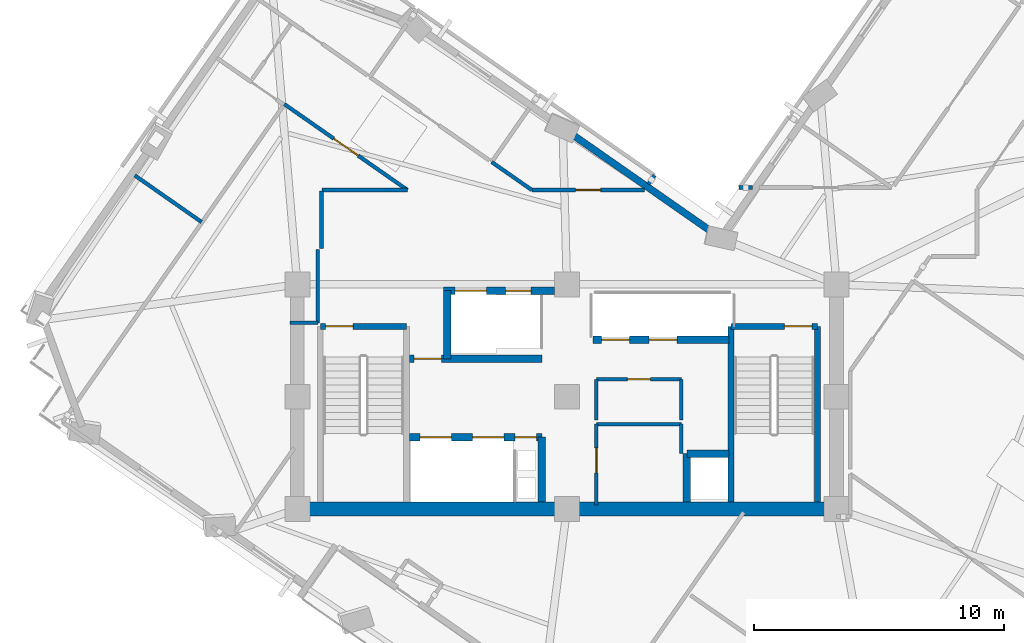
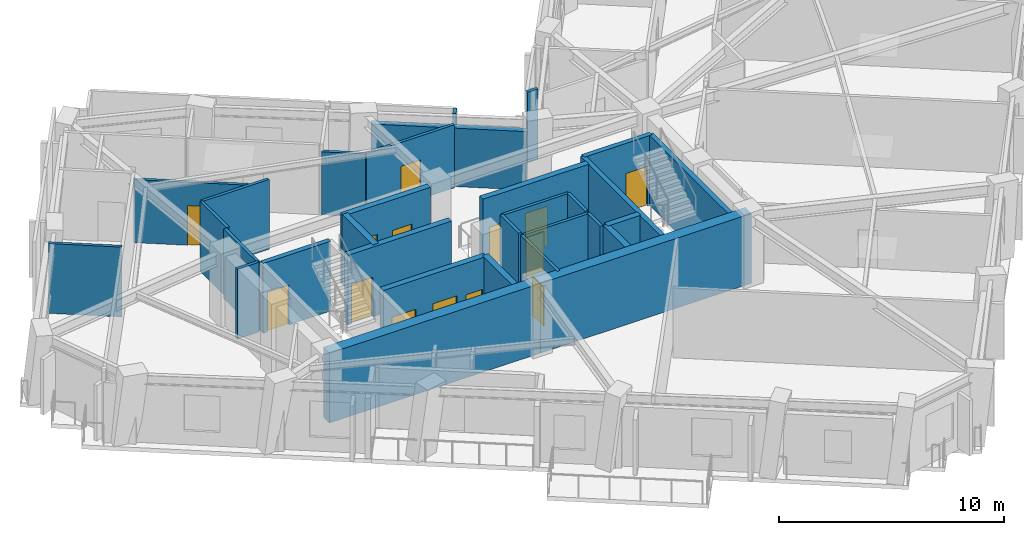
# One storey, part 4 of 12: 31 walls, 14 doors, 14 openings.
"""IFC4 building model written with IfcOpenShell, lengths in metres."""

from ifc_helpers import new_model, si_unit, direction, frame, frame_2d, origin, place, context, subcontext, project, spatial, rectangle, extrude, material, layer, layer_set, type_object, element, fill, save


model = new_model("IFC4")

# Units and contexts
model_context = context("Model", 3, precision=1e-05, world=origin(), true_north=direction((0.0, 1.0)))
body_context = subcontext(model_context, "Body", "Model", "MODEL_VIEW")
ifc_project = project(units=[si_unit("LENGTHUNIT", "METRE"), si_unit("AREAUNIT", "SQUARE_METRE"), si_unit("VOLUMEUNIT", "CUBIC_METRE"), si_unit("PLANEANGLEUNIT", "RADIAN"), si_unit("MASSUNIT", "GRAM", prefix="KILO")], contexts=[model_context])

# Site, building, storey
site_placement = place(None, origin())
site = spatial("IfcSite", under=ifc_project, at=site_placement, CompositionType="ELEMENT")
building_placement = place(site_placement, origin())
building = spatial("IfcBuilding", under=site, at=building_placement, Name="Gaonmaruhae Medical Tower", CompositionType="ELEMENT")
storey_placement = place(building_placement, frame((0.0, 0.0, 259.199951171875)))
storey = spatial("IfcBuildingStorey", under=building, at=storey_placement, Name="L62", CompositionType="ELEMENT", Elevation=259.199951171875)

# Walls
ifc_material_1 = material(Name="Concrete C50/60", Category="concrete")
ifc_layer_1 = layer(ifc_material_1, 0.550048828125)
ifc_layer_set_1 = layer_set([ifc_layer_1], Name="Concrete C50/60")
wall_type_1 = type_object("IfcWallType", Name="CW-550 Mid-High Core Shear Wall", PredefinedType="SHEAR", material=ifc_layer_set_1)
for number, where, z_axis, x_axis, name in (
    (1, (14.0, 7.800048828125, 0.0), (0.0, 0.0, 1.0), (1.0, 0.0, 0.0), "L62 Core Shear Wall CSW-S1"),
    (2, (24.800048828125, 7.800048828125, 0.0), (0.0, 0.0, 1.0), (1.0, 0.0, 0.0), "L62 Core Shear Wall CSW-S2"),
):
    element("IfcWall", number, at=place(storey_placement, frame(where, z_axis=z_axis, x_axis=x_axis)), inside=storey, type_object=wall_type_1, Name=name, PredefinedType="SHEAR", context=body_context, shape_type="SweptSolid", body=[
        extrude(rectangle(XDim=10.800048828125, YDim=0.550048828125, at=frame_2d((5.39990234375, 0.0))), origin(), (0.0, 0.0, 1.0), 3.780029296875),
    ])
ifc_material_2 = material(Name="Precast concrete C45/55", Category="concrete")
ifc_layer_2 = layer(ifc_material_2, 0.280029296875)
ifc_layer_set_2 = layer_set([ifc_layer_2], Name="Precast concrete C45/55")
wall_type_2 = type_object("IfcWallType", Name="EW-280 Upper Precast Masonry-Frame Facade Wall", PredefinedType="SOLIDWALL", material=ifc_layer_set_2)
wall_1_placement = place(storey_placement, frame((24.9716796875, 22.8330078125, 0.0), z_axis=(0.0, 0.0, 1.0), x_axis=(0.820150694585, -0.572147566779, 0.0)))
element("IfcWall", 3, at=wall_1_placement, inside=storey, type_object=wall_type_2, Name="L62 Precast Masonry-Frame Wall KN01-NE01", PredefinedType="SOLIDWALL", context=body_context, shape_type="SweptSolid", body=[
    extrude(rectangle(XDim=6.9580078125, YDim=0.280029296875, at=frame_2d((3.47900390625, 0.0))), origin(), (0.0, 0.0, 1.0), 3.1650390625),
])

# Wall, opening, door
ifc_material_3 = material(Name="Gypsum board partition", Category="gypsum")
ifc_layer_3 = layer(ifc_material_3, 0.14990234375)
ifc_layer_set_3 = layer_set([ifc_layer_3], Name="Gypsum board partition")
wall_type_3 = type_object("IfcWallType", Name="PW-150 Rated Clinical Corridor Partition", PredefinedType="PARTITIONING", material=ifc_layer_set_3)
wall_2_placement = place(storey_placement, frame((25.97998046875, 7.9599609375, 0.0), z_axis=(0.0, 0.0, 1.0), x_axis=(0.0, 1.0, 0.0)))
wall_2 = element("IfcWall", 4, at=wall_2_placement, inside=storey, type_object=wall_type_3, Name="L62 Interior Partition L62-RCL1-1", PredefinedType="PARTITIONING", context=body_context, shape_type="SweptSolid", body=[
    extrude(rectangle(XDim=3.239990234375, YDim=0.14990234375, at=frame_2d((1.6201171875, 0.0))), origin(), (0.0, 0.0, 1.0), 3.780029296875),
])
opening_1_placement = place(wall_2_placement, frame((1.294921875, 0.0, 0.0)))
opening_1 = element("IfcOpeningElement", 5, at=opening_1_placement, cuts=wall_2, Name="Opening CD-01", PredefinedType="OPENING", context=body_context, shape_type="SweptSolid", body=[
    extrude(rectangle(XDim=1.0, YDim=2.1201171875, at=frame_2d((0.5, 1.06005859375))), frame((0.0, 0.0849609375, 0.0), z_axis=(0.0, -1.0, 0.0), x_axis=(1.0, 0.0, 0.0)), (0.0, 0.0, 1.0), 0.169921875),
])
ifc_material_4 = material(Name="Antimicrobial laminate timber fire door", Category="wood")
door_type_1 = type_object("IfcDoorType", Name="CD-01 Consultation & Physician Office Door 1000x2120", OperationType="NOTDEFINED", PredefinedType="DOOR", material=ifc_material_4)
door_1_placement = place(opening_1_placement, origin())
door_1 = element("IfcDoor", 6, at=door_1_placement, inside=storey, type_object=door_type_1, Name="L62 Clinical Telemetry and Medication Room Door", OperationType="SINGLE_SWING_LEFT", OverallHeight=2.1201171875, OverallWidth=1.0, PredefinedType="DOOR", context=body_context, shape_type="SweptSolid", body=[
    extrude(rectangle(XDim=1.0, YDim=2.1201171875, at=frame_2d((0.5, 1.06005859375))), frame((0.0, 0.02490234375, 0.0), z_axis=(0.0, -1.0, 0.0), x_axis=(1.0, 0.0, 0.0)), (0.0, 0.0, 1.0), 0.050048828125),
])
fill(opening_1, door_1)

# Walls
wall_3_placement = place(storey_placement, frame((25.97998046875, 11.199951171875, 0.0), z_axis=(0.0, 0.0, 1.0), x_axis=(1.0, 0.0, 0.0)))
element("IfcWall", 7, at=wall_3_placement, inside=storey, type_object=wall_type_3, Name="L62 Interior Partition L62-RCL1-2", PredefinedType="PARTITIONING", context=body_context, shape_type="SweptSolid", body=[
    extrude(rectangle(XDim=3.39990234375, YDim=0.14990234375, at=frame_2d((1.699951171875, 0.0))), origin(), (0.0, 0.0, 1.0), 3.780029296875),
])
wall_4_placement = place(storey_placement, frame((29.3798828125, 11.199951171875, 0.0), z_axis=(0.0, 0.0, 1.0), x_axis=(0.0, -1.0, 0.0)))
element("IfcWall", 8, at=wall_4_placement, inside=storey, type_object=wall_type_3, Name="L62 Interior Partition L62-RCL1-3", PredefinedType="PARTITIONING", context=body_context, shape_type="SweptSolid", body=[
    extrude(rectangle(XDim=1.179931640625, YDim=0.14990234375, at=frame_2d((0.58984375, 0.0))), origin(), (0.0, 0.0, 1.0), 3.780029296875),
])
wall_5_placement = place(storey_placement, frame((25.97998046875, 11.360107421875, 0.0), z_axis=(0.0, 0.0, 1.0), x_axis=(0.0, 1.0, 0.0)))
element("IfcWall", 9, at=wall_5_placement, inside=storey, type_object=wall_type_3, Name="L62 Interior Partition L62-CS1-4", PredefinedType="PARTITIONING", context=body_context, shape_type="SweptSolid", body=[
    extrude(rectangle(XDim=1.639892578125, YDim=0.14990234375, at=frame_2d((0.81982421875, 0.0))), origin(), (0.0, 0.0, 1.0), 3.780029296875),
])

# Wall, opening, door
wall_6_placement = place(storey_placement, frame((25.97998046875, 13.0, 0.0), z_axis=(0.0, 0.0, 1.0), x_axis=(1.0, 0.0, 0.0)))
wall_6 = element("IfcWall", 10, at=wall_6_placement, inside=storey, type_object=wall_type_3, Name="L62 Interior Partition L62-CS1-5", PredefinedType="PARTITIONING", context=body_context, shape_type="SweptSolid", body=[
    extrude(rectangle(XDim=3.39990234375, YDim=0.14990234375, at=frame_2d((1.699951171875, 0.0))), origin(), (0.0, 0.0, 1.0), 3.780029296875),
])
opening_2_placement = place(wall_6_placement, frame((1.239990234375, 0.0, 0.0)))
opening_2 = element("IfcOpeningElement", 11, at=opening_2_placement, cuts=wall_6, Name="Opening UD-01", PredefinedType="OPENING", context=body_context, shape_type="SweptSolid", body=[
    extrude(rectangle(XDim=0.919921875, YDim=2.10009765625, at=frame_2d((0.4599609375, 1.050048828125))), frame((0.0, 0.0849609375, 0.0), z_axis=(0.0, -1.0, 0.0), x_axis=(1.0, 0.0, 0.0)), (0.0, 0.0, 1.0), 0.169921875),
])
ifc_material_5 = material(Name="Powder-coated steel utility door", Category="steel")
door_type_2 = type_object("IfcDoorType", Name="UD-01 Toilet, Utility & Housekeeping Door 920x2100", OperationType="NOTDEFINED", PredefinedType="DOOR", material=ifc_material_5)
door_2_placement = place(opening_2_placement, origin())
door_2 = element("IfcDoor", 12, at=door_2_placement, inside=storey, type_object=door_type_2, Name="L62 Accessible Staff Toilet Door", OperationType="SINGLE_SWING_RIGHT", OverallHeight=2.10009765625, OverallWidth=0.919921875, PredefinedType="DOOR", context=body_context, shape_type="SweptSolid", body=[
    extrude(rectangle(XDim=0.919921875, YDim=2.10009765625, at=frame_2d((0.4599609375, 1.050048828125))), frame((0.0, 0.02490234375, 0.0), z_axis=(0.0, -1.0, 0.0), x_axis=(1.0, 0.0, 0.0)), (0.0, 0.0, 1.0), 0.050048828125),
])
fill(opening_2, door_2)

# Walls
wall_7_placement = place(storey_placement, frame((29.3798828125, 13.0, 0.0), z_axis=(0.0, 0.0, 1.0), x_axis=(0.0, -1.0, 0.0)))
element("IfcWall", 13, at=wall_7_placement, inside=storey, type_object=wall_type_3, Name="L62 Interior Partition L62-CS1-6", PredefinedType="PARTITIONING", context=body_context, shape_type="SweptSolid", body=[
    extrude(rectangle(XDim=1.639892578125, YDim=0.14990234375, at=frame_2d((0.81982421875, 0.0))), origin(), (0.0, 0.0, 1.0), 3.780029296875),
])
wall_8_placement = place(storey_placement, frame((14.969970703125, 20.550048828125, 0.0), z_axis=(0.0, 0.0, 1.0), x_axis=(0.0, -1.0, 0.0)))
element("IfcWall", 14, at=wall_8_placement, inside=storey, type_object=wall_type_3, Name="L62 Interior Partition L62-WOF09-45", PredefinedType="PARTITIONING", context=body_context, shape_type="SweptSolid", body=[
    extrude(rectangle(XDim=2.320068359375, YDim=0.14990234375, at=frame_2d((1.16015625, 0.0))), origin(), (0.0, 0.0, 1.0), 3.780029296875),
])
wall_9_placement = place(storey_placement, frame((14.820068359375, 18.199951171875, 0.0), z_axis=(0.0, 0.0, 1.0), x_axis=(0.0, -1.0, 0.0)))
element("IfcWall", 15, at=wall_9_placement, inside=storey, type_object=wall_type_3, Name="L62 Interior Partition L62-WOF09-46", PredefinedType="PARTITIONING", context=body_context, shape_type="SweptSolid", body=[
    extrude(rectangle(XDim=2.93994140625, YDim=0.14990234375, at=frame_2d((1.469970703125, 0.0))), origin(), (0.0, 0.0, 1.0), 3.780029296875),
])
wall_10_placement = place(storey_placement, frame((14.820068359375, 15.260009765625, 0.0), z_axis=(0.0, 0.0, 1.0), x_axis=(-1.0, 0.0, 0.0)))
element("IfcWall", 16, at=wall_10_placement, inside=storey, type_object=wall_type_3, Name="L62 Interior Partition L62-WOF09-47", PredefinedType="PARTITIONING", context=body_context, shape_type="SweptSolid", body=[
    extrude(rectangle(XDim=1.1201171875, YDim=0.14990234375, at=frame_2d((0.56005859375, 0.0))), origin(), (0.0, 0.0, 1.0), 3.780029296875),
])

# Wall, opening, door
wall_11_placement = place(storey_placement, frame((13.485107421875, 24.01806640625, 0.0), z_axis=(0.0, 0.0, 1.0), x_axis=(0.820137595975, -0.572166342656, 0.0)))
wall_11 = element("IfcWall", 17, at=wall_11_placement, inside=storey, type_object=wall_type_3, Name="L62 Interior Partition L62-WOF09-52", PredefinedType="PARTITIONING", context=body_context, shape_type="SweptSolid", body=[
    extrude(rectangle(XDim=6.0087890625, YDim=0.14990234375, at=frame_2d((3.00439453125, 0.0))), origin(), (0.0, 0.0, 1.0), 3.4150390625),
])
opening_3_placement = place(wall_11_placement, frame((2.404296875, 0.0, 0.0)))
opening_3 = element("IfcOpeningElement", 18, at=opening_3_placement, cuts=wall_11, Name="Opening CD-02", PredefinedType="OPENING", context=body_context, shape_type="SweptSolid", body=[
    extrude(rectangle(XDim=1.199951171875, YDim=2.14990234375, at=frame_2d((0.60009765625, 1.074951171875))), frame((0.0, 0.0849609375, 0.0), z_axis=(0.0, -1.0, 0.0), x_axis=(1.0, 0.0, 0.0)), (0.0, 0.0, 1.0), 0.169921875),
])
door_type_3 = type_object("IfcDoorType", Name="CD-02 Clinical Treatment & Procedure Door 1200x2150", OperationType="NOTDEFINED", PredefinedType="DOOR", material=ifc_material_4)
door_3_placement = place(opening_3_placement, origin())
door_3 = element("IfcDoor", 19, at=door_3_placement, inside=storey, type_object=door_type_3, Name="L62 Ward Physician Reporting Office Door", OperationType="SINGLE_SWING_LEFT", OverallHeight=2.14990234375, OverallWidth=1.199951171875, PredefinedType="DOOR", context=body_context, shape_type="SweptSolid", body=[
    extrude(rectangle(XDim=1.199951171875, YDim=2.14990234375, at=frame_2d((0.60009765625, 1.074951171875))), frame((0.0, 0.02490234375, 0.0), z_axis=(0.0, -1.0, 0.0), x_axis=(1.0, 0.0, 0.0)), (0.0, 0.0, 1.0), 0.050048828125),
])
fill(opening_3, door_3)

# Walls
wall_12_placement = place(storey_placement, frame((18.4130859375, 20.580078125, 0.0), z_axis=(0.0, 0.0, 1.0), x_axis=(-1.0, 0.0, 0.0)))
element("IfcWall", 20, at=wall_12_placement, inside=storey, type_object=wall_type_3, Name="L62 Interior Partition L62-WOF09-53", PredefinedType="PARTITIONING", context=body_context, shape_type="SweptSolid", body=[
    extrude(rectangle(XDim=3.416015625, YDim=0.14990234375, at=frame_2d((1.7080078125, 0.0))), origin(), (0.0, 0.0, 1.0), 3.780029296875),
])
wall_13_placement = place(storey_placement, frame((32.23193359375, 20.679931640625, 0.0), z_axis=(0.0, 0.0, 1.0), x_axis=(-1.0, 0.0, 0.0)))
element("IfcWall", 21, at=wall_13_placement, inside=storey, type_object=wall_type_3, Name="L62 Interior Partition L62-IE01-57", PredefinedType="PARTITIONING", context=body_context, shape_type="SweptSolid", body=[
    extrude(rectangle(XDim=0.531005859375, YDim=0.14990234375, at=frame_2d((0.265625, 0.0))), origin(), (0.0, 0.0, 1.0), 3.780029296875),
])

# Wall, opening, door
wall_14_placement = place(storey_placement, frame((27.90087890625, 20.580078125, 0.0), z_axis=(0.0, 0.0, 1.0), x_axis=(-1.0, 0.0, 0.0)))
wall_14 = element("IfcWall", 22, at=wall_14_placement, inside=storey, type_object=wall_type_3, Name="L62 Interior Partition L62-IN01-69", PredefinedType="PARTITIONING", context=body_context, shape_type="SweptSolid", body=[
    extrude(rectangle(XDim=4.505859375, YDim=0.14990234375, at=frame_2d((2.2529296875, 0.0))), origin(), (0.0, 0.0, 1.0), 3.4150390625),
])
opening_4_placement = place(wall_14_placement, frame((1.7529296875, 0.0, 0.0)))
opening_4 = element("IfcOpeningElement", 23, at=opening_4_placement, cuts=wall_14, Name="Opening CD-01", PredefinedType="OPENING", context=body_context, shape_type="SweptSolid", body=[
    extrude(rectangle(XDim=1.0, YDim=2.1201171875, at=frame_2d((0.5, 1.06005859375))), frame((0.0, 0.0849609375, 0.0), z_axis=(0.0, -1.0, 0.0), x_axis=(1.0, 0.0, 0.0)), (0.0, 0.0, 1.0), 0.169921875),
])
door_4_placement = place(opening_4_placement, origin())
door_4 = element("IfcDoor", 24, at=door_4_placement, inside=storey, type_object=door_type_1, Name="L62 Physician Consultation Office Door", OperationType="SINGLE_SWING_RIGHT", OverallHeight=2.1201171875, OverallWidth=1.0, PredefinedType="DOOR", context=body_context, shape_type="SweptSolid", body=[
    extrude(rectangle(XDim=1.0, YDim=2.1201171875, at=frame_2d((0.5, 1.06005859375))), frame((0.0, 0.02490234375, 0.0), z_axis=(0.0, -1.0, 0.0), x_axis=(1.0, 0.0, 0.0)), (0.0, 0.0, 1.0), 0.050048828125),
])
fill(opening_4, door_4)

# Walls
wall_15_placement = place(storey_placement, frame((23.39501953125, 20.580078125, 0.0), z_axis=(0.0, 0.0, 1.0), x_axis=(-0.820190863983, 0.572089981244, 0.0)))
element("IfcWall", 25, at=wall_15_placement, inside=storey, type_object=wall_type_3, Name="L62 Interior Partition L62-IN01-70", PredefinedType="PARTITIONING", context=body_context, shape_type="SweptSolid", body=[
    extrude(rectangle(XDim=1.959228515625, YDim=0.14990234375, at=frame_2d((0.9794921875, 0.0))), origin(), (0.0, 0.0, 1.0), 3.4150390625),
])
wall_16_placement = place(storey_placement, frame((28.31396484375, 21.172119140625, 0.0), z_axis=(0.0, 0.0, 1.0), x_axis=(-0.571918449579, -0.820310482093, 0.0)))
element("IfcWall", 26, at=wall_16_placement, inside=storey, type_object=wall_type_3, Name="L62 Interior Partition L62-IN01-74", PredefinedType="PARTITIONING", context=body_context, shape_type="SweptSolid", body=[
    extrude(rectangle(XDim=0.435302734375, YDim=0.14990234375, at=frame_2d((0.2177734375, 0.0))), origin(), (0.0, 0.0, 1.0), 3.780029296875),
])
wall_17_placement = place(storey_placement, frame((10.1669921875, 19.297119140625, 0.0), z_axis=(0.0, 0.0, 1.0), x_axis=(-0.819951461255, 0.57243305389, 0.0)))
element("IfcWall", 27, at=wall_17_placement, inside=storey, type_object=wall_type_3, Name="L62 Interior Partition L62-RM02-85", PredefinedType="PARTITIONING", context=body_context, shape_type="SweptSolid", body=[
    extrude(rectangle(XDim=3.264892578125, YDim=0.14990234375, at=frame_2d((1.63232421875, 0.0))), origin(), (0.0, 0.0, 1.0), 3.780029296875),
])

# Wall, opening, door
ifc_layer_4 = layer(ifc_material_1, 0.239990234375)
ifc_layer_set_4 = layer_set([ifc_layer_4], Name="Concrete C50/60")
wall_type_4 = type_object("IfcWallType", Name="SW-240 Dogleg Stair Tight Shaft Wall", PredefinedType="SOLIDWALL", material=ifc_layer_set_4)
wall_18_placement = place(storey_placement, frame((14.919921875, 15.1201171875, 0.0), z_axis=(0.0, 0.0, 1.0), x_axis=(1.0, 0.0, 0.0)))
wall_18 = element("IfcWall", 28, at=wall_18_placement, inside=storey, type_object=wall_type_4, Name="L62 ST-01 Stair Shaft Wall SHW-ST-01-N", PredefinedType="SOLIDWALL", context=body_context, shape_type="SweptSolid", body=[
    extrude(rectangle(XDim=3.4599609375, YDim=0.239990234375, at=frame_2d((1.72998046875, 0.0))), origin(), (0.0, 0.0, 1.0), 3.780029296875),
])
opening_5_placement = place(wall_18_placement, frame((0.219970703125, 0.0, 0.0)))
opening_5 = element("IfcOpeningElement", 29, at=opening_5_placement, cuts=wall_18, Name="Opening FD-01", PredefinedType="OPENING", context=body_context, shape_type="SweptSolid", body=[
    extrude(rectangle(XDim=1.10009765625, YDim=2.14990234375, at=frame_2d((0.550048828125, 1.074951171875))), frame((0.0, 0.1298828125, 0.0), z_axis=(0.0, -1.0, 0.0), x_axis=(1.0, 0.0, 0.0)), (0.0, 0.0, 1.0), 0.260009765625),
])
ifc_material_6 = material(Name="Powder-coated steel fire door", Category="steel")
door_type_4 = type_object("IfcDoorType", Name="FD-01 Escape Stair Protected Fire Door 1100x2150", OperationType="NOTDEFINED", PredefinedType="DOOR", material=ifc_material_6)
door_5_placement = place(opening_5_placement, origin())
door_5 = element("IfcDoor", 30, at=door_5_placement, inside=storey, type_object=door_type_4, Name="L62 ST-01 Protected Escape Stair Door", OperationType="SINGLE_SWING_LEFT", OverallHeight=2.14990234375, OverallWidth=1.10009765625, PredefinedType="DOOR", context=body_context, shape_type="SweptSolid", body=[
    extrude(rectangle(XDim=1.10009765625, YDim=2.14990234375, at=frame_2d((0.550048828125, 1.074951171875))), frame((0.0, 0.02490234375, 0.0), z_axis=(0.0, -1.0, 0.0), x_axis=(1.0, 0.0, 0.0)), (0.0, 0.0, 1.0), 0.050048828125),
])
fill(opening_5, door_5)

wall_19_placement = place(storey_placement, frame((31.3701171875, 15.1201171875, 0.0), z_axis=(0.0, 0.0, 1.0), x_axis=(1.0, 0.0, 0.0)))
wall_19 = element("IfcWall", 31, at=wall_19_placement, inside=storey, type_object=wall_type_4, Name="L62 ST-02 Stair Shaft Wall SHW-ST-02-N", PredefinedType="SOLIDWALL", context=body_context, shape_type="SweptSolid", body=[
    extrude(rectangle(XDim=3.4599609375, YDim=0.239990234375, at=frame_2d((1.72998046875, 0.0))), origin(), (0.0, 0.0, 1.0), 3.780029296875),
])
opening_6_placement = place(wall_19_placement, frame((2.139892578125, 0.0, 0.0)))
opening_6 = element("IfcOpeningElement", 32, at=opening_6_placement, cuts=wall_19, Name="Opening FD-01", PredefinedType="OPENING", context=body_context, shape_type="SweptSolid", body=[
    extrude(rectangle(XDim=1.10009765625, YDim=2.14990234375, at=frame_2d((0.550048828125, 1.074951171875))), frame((0.0, 0.1298828125, 0.0), z_axis=(0.0, -1.0, 0.0), x_axis=(1.0, 0.0, 0.0)), (0.0, 0.0, 1.0), 0.260009765625),
])
door_6_placement = place(opening_6_placement, origin())
door_6 = element("IfcDoor", 33, at=door_6_placement, inside=storey, type_object=door_type_4, Name="L62 ST-02 Protected Escape Stair Door", OperationType="SINGLE_SWING_RIGHT", OverallHeight=2.14990234375, OverallWidth=1.10009765625, PredefinedType="DOOR", context=body_context, shape_type="SweptSolid", body=[
    extrude(rectangle(XDim=1.10009765625, YDim=2.14990234375, at=frame_2d((0.550048828125, 1.074951171875))), frame((0.0, 0.02490234375, 0.0), z_axis=(0.0, -1.0, 0.0), x_axis=(1.0, 0.0, 0.0)), (0.0, 0.0, 1.0), 0.050048828125),
])
fill(opening_6, door_6)

# Walls
for number, where, z_axis, x_axis, name in (
    (34, (34.830078125, 15.1201171875, 0.0), (0.0, 0.0, 1.0), (0.0, -1.0, 0.0), "L62 ST-02 Stair Shaft Wall SHW-ST-02-E"),
    (35, (31.3701171875, 8.074951171875, 0.0), (0.0, 0.0, 1.0), (0.0, 1.0, 0.0), "L62 ST-02 Stair Shaft Wall SHW-ST-02-W"),
):
    element("IfcWall", number, at=place(storey_placement, frame(where, z_axis=z_axis, x_axis=x_axis)), inside=storey, type_object=wall_type_4, Name=name, PredefinedType="SOLIDWALL", context=body_context, shape_type="SweptSolid", body=[
        extrude(rectangle(XDim=7.045166015625, YDim=0.239990234375, at=frame_2d((3.5224609375, 0.0))), origin(), (0.0, 0.0, 1.0), 3.780029296875),
    ])

# Wall, openings, doors
ifc_layer_5 = layer(ifc_material_1, 0.300048828125)
ifc_layer_set_5 = layer_set([ifc_layer_5], Name="Concrete C50/60")
wall_type_5 = type_object("IfcWallType", Name="SW-300 Stair & Lift Hoistway Shaft Wall", PredefinedType="SOLIDWALL", material=ifc_layer_set_5)
wall_20_placement = place(storey_placement, frame((19.85009765625, 16.550048828125, 0.0), z_axis=(0.0, 0.0, 1.0), x_axis=(1.0, 0.0, 0.0)))
wall_20 = element("IfcWall", 36, at=wall_20_placement, inside=storey, type_object=wall_type_5, Name="L62 Core Shear Wall CSW-NB", PredefinedType="SOLIDWALL", context=body_context, shape_type="SweptSolid", body=[
    extrude(rectangle(XDim=4.449951171875, YDim=0.300048828125, at=frame_2d((2.22509765625, 0.0))), origin(), (0.0, 0.0, 1.0), 3.780029296875),
])
opening_7_placement = place(wall_20_placement, frame((0.47509765625, 0.0, 0.0)))
opening_7 = element("IfcOpeningElement", 37, at=opening_7_placement, cuts=wall_20, Name="Opening LD-F1", PredefinedType="OPENING", context=body_context, shape_type="SweptSolid", body=[
    extrude(rectangle(XDim=1.25, YDim=2.179931640625, at=frame_2d((0.625, 1.08984375))), frame((0.0, 0.16015625, 0.0), z_axis=(0.0, -1.0, 0.0), x_axis=(1.0, 0.0, 0.0)), (0.0, 0.0, 1.0), 0.320068359375),
])
opening_8_placement = place(wall_20_placement, frame((2.489990234375, 0.0, 0.0)))
opening_8 = element("IfcOpeningElement", 38, at=opening_8_placement, cuts=wall_20, Name="Opening LD-S1", PredefinedType="OPENING", context=body_context, shape_type="SweptSolid", body=[
    extrude(rectangle(XDim=1.02001953125, YDim=2.1201171875, at=frame_2d((0.510009765625, 1.06005859375))), frame((0.0, 0.16015625, 0.0), z_axis=(0.0, -1.0, 0.0), x_axis=(1.0, 0.0, 0.0)), (0.0, 0.0, 1.0), 0.320068359375),
])
ifc_material_7 = material(Name="Brushed stainless steel 316L landing door", Category="steel")
door_type_5 = type_object("IfcDoorType", Name="LD-F1 Firefighting & Bed Lift Sliding Landing Door 1250x2180", OperationType="NOTDEFINED", PredefinedType="DOOR", material=ifc_material_7)
door_7_placement = place(opening_7_placement, origin())
door_7 = element("IfcDoor", 39, at=door_7_placement, inside=storey, type_object=door_type_5, Name="L62 Service/Bed Lift Landing Door BDL-01", OperationType="DOUBLE_DOOR_SLIDING", OverallHeight=2.179931640625, OverallWidth=1.25, PredefinedType="DOOR", context=body_context, shape_type="SweptSolid", body=[
    extrude(rectangle(XDim=1.25, YDim=2.179931640625, at=frame_2d((0.625, 1.08984375))), frame((0.0, 0.02490234375, 0.0), z_axis=(0.0, -1.0, 0.0), x_axis=(1.0, 0.0, 0.0)), (0.0, 0.0, 1.0), 0.050048828125),
])
fill(opening_7, door_7)
ifc_material_8 = material(Name="Brushed stainless steel 304 landing door", Category="steel")
door_type_6 = type_object("IfcDoorType", Name="LD-S1 Service Lift Sliding Landing Door 1020x2120", OperationType="NOTDEFINED", PredefinedType="DOOR", material=ifc_material_8)
door_8_placement = place(opening_8_placement, origin())
door_8 = element("IfcDoor", 40, at=door_8_placement, inside=storey, type_object=door_type_6, Name="L62 Service/Bed Lift Landing Door SVL-01", OperationType="SLIDING_TO_LEFT", OverallHeight=2.1201171875, OverallWidth=1.02001953125, PredefinedType="DOOR", context=body_context, shape_type="SweptSolid", body=[
    extrude(rectangle(XDim=1.02001953125, YDim=2.1201171875, at=frame_2d((0.510009765625, 1.06005859375))), frame((0.0, 0.02490234375, 0.0), z_axis=(0.0, -1.0, 0.0), x_axis=(1.0, 0.0, 0.0)), (0.0, 0.0, 1.0), 0.050048828125),
])
fill(opening_8, door_8)

wall_21_placement = place(storey_placement, frame((18.5, 10.679931640625, 0.0), z_axis=(0.0, 0.0, 1.0), x_axis=(1.0, 0.0, 0.0)))
wall_21 = element("IfcWall", 41, at=wall_21_placement, inside=storey, type_object=wall_type_5, Name="L62 Shaft Enclosure Wall SHW-FFN", PredefinedType="SOLIDWALL", context=body_context, shape_type="SweptSolid", body=[
    extrude(rectangle(XDim=5.300048828125, YDim=0.300048828125, at=frame_2d((2.64990234375, 0.0))), origin(), (0.0, 0.0, 1.0), 3.780029296875),
])
opening_9_placement = place(wall_21_placement, frame((4.219970703125, 0.0, 0.0)))
opening_9 = element("IfcOpeningElement", 42, at=opening_9_placement, cuts=wall_21, Name="Opening AD-01", PredefinedType="OPENING", context=body_context, shape_type="SweptSolid", body=[
    extrude(rectangle(XDim=0.860107421875, YDim=2.06005859375, at=frame_2d((0.43017578125, 1.030029296875))), frame((0.0, 0.16015625, 0.0), z_axis=(0.0, -1.0, 0.0), x_axis=(1.0, 0.0, 0.0)), (0.0, 0.0, 1.0), 0.320068359375),
])
opening_10_placement = place(wall_21_placement, frame((0.425048828125, 0.0, 0.0)))
opening_10 = element("IfcOpeningElement", 43, at=opening_10_placement, cuts=wall_21, Name="Opening LD-F1", PredefinedType="OPENING", context=body_context, shape_type="SweptSolid", body=[
    extrude(rectangle(XDim=1.25, YDim=2.179931640625, at=frame_2d((0.625, 1.08984375))), frame((0.0, 0.16015625, 0.0), z_axis=(0.0, -1.0, 0.0), x_axis=(1.0, 0.0, 0.0)), (0.0, 0.0, 1.0), 0.320068359375),
])
opening_11_placement = place(wall_21_placement, frame((2.52490234375, 0.0, 0.0)))
opening_11 = element("IfcOpeningElement", 44, at=opening_11_placement, cuts=wall_21, Name="Opening LD-F1", PredefinedType="OPENING", context=body_context, shape_type="SweptSolid", body=[
    extrude(rectangle(XDim=1.25, YDim=2.179931640625, at=frame_2d((0.625, 1.08984375))), frame((0.0, 0.16015625, 0.0), z_axis=(0.0, -1.0, 0.0), x_axis=(1.0, 0.0, 0.0)), (0.0, 0.0, 1.0), 0.320068359375),
])
ifc_material_9 = material(Name="Powder-coated steel access door", Category="steel")
door_type_7 = type_object("IfcDoorType", Name="AD-01 Riser & Closet Access Fire Door 860x2060", OperationType="NOTDEFINED", PredefinedType="DOOR", material=ifc_material_9)
door_9_placement = place(opening_9_placement, origin())
door_9 = element("IfcDoor", 45, at=door_9_placement, inside=storey, type_object=door_type_7, Name="L62 Medical Gas and MEP Riser Access Door", OperationType="SINGLE_SWING_RIGHT", OverallHeight=2.06005859375, OverallWidth=0.860107421875, PredefinedType="DOOR", context=body_context, shape_type="SweptSolid", body=[
    extrude(rectangle(XDim=0.860107421875, YDim=2.06005859375, at=frame_2d((0.43017578125, 1.030029296875))), frame((0.0, 0.02490234375, 0.0), z_axis=(0.0, -1.0, 0.0), x_axis=(1.0, 0.0, 0.0)), (0.0, 0.0, 1.0), 0.050048828125),
])
fill(opening_9, door_9)
door_10_placement = place(opening_10_placement, origin())
door_10 = element("IfcDoor", 46, at=door_10_placement, inside=storey, type_object=door_type_5, Name="L62 Firefighting Lift Landing Door FFL-01", OperationType="DOUBLE_DOOR_SLIDING", OverallHeight=2.179931640625, OverallWidth=1.25, PredefinedType="DOOR", context=body_context, shape_type="SweptSolid", body=[
    extrude(rectangle(XDim=1.25, YDim=2.179931640625, at=frame_2d((0.625, 1.08984375))), frame((0.0, 0.02490234375, 0.0), z_axis=(0.0, -1.0, 0.0), x_axis=(1.0, 0.0, 0.0)), (0.0, 0.0, 1.0), 0.050048828125),
])
fill(opening_10, door_10)
door_11_placement = place(opening_11_placement, origin())
door_11 = element("IfcDoor", 47, at=door_11_placement, inside=storey, type_object=door_type_5, Name="L62 Firefighting Lift Landing Door FFL-02", OperationType="DOUBLE_DOOR_SLIDING", OverallHeight=2.179931640625, OverallWidth=1.25, PredefinedType="DOOR", context=body_context, shape_type="SweptSolid", body=[
    extrude(rectangle(XDim=1.25, YDim=2.179931640625, at=frame_2d((0.625, 1.08984375))), frame((0.0, 0.02490234375, 0.0), z_axis=(0.0, -1.0, 0.0), x_axis=(1.0, 0.0, 0.0)), (0.0, 0.0, 1.0), 0.050048828125),
])
fill(opening_11, door_11)

# Wall, opening, door
wall_22_placement = place(storey_placement, frame((18.5, 13.820068359375, 0.0), z_axis=(0.0, 0.0, 1.0), x_axis=(1.0, 0.0, 0.0)))
wall_22 = element("IfcWall", 48, at=wall_22_placement, inside=storey, type_object=wall_type_5, Name="L62 Shaft Enclosure Wall SHW-FFL", PredefinedType="SOLIDWALL", context=body_context, shape_type="SweptSolid", body=[
    extrude(rectangle(XDim=5.300048828125, YDim=0.300048828125, at=frame_2d((2.64990234375, 0.0))), origin(), (0.0, 0.0, 1.0), 3.780029296875),
])
opening_12_placement = place(wall_22_placement, frame((0.179931640625, 0.0, 0.0)))
opening_12 = element("IfcOpeningElement", 49, at=opening_12_placement, cuts=wall_22, Name="Opening FD-01", PredefinedType="OPENING", context=body_context, shape_type="SweptSolid", body=[
    extrude(rectangle(XDim=1.10009765625, YDim=2.14990234375, at=frame_2d((0.550048828125, 1.074951171875))), frame((0.0, 0.16015625, 0.0), z_axis=(0.0, -1.0, 0.0), x_axis=(1.0, 0.0, 0.0)), (0.0, 0.0, 1.0), 0.320068359375),
])
door_12_placement = place(opening_12_placement, origin())
door_12 = element("IfcDoor", 50, at=door_12_placement, inside=storey, type_object=door_type_4, Name="L62 Firefighting Lobby Smoke Door", OperationType="SINGLE_SWING_LEFT", OverallHeight=2.14990234375, OverallWidth=1.10009765625, PredefinedType="DOOR", context=body_context, shape_type="SweptSolid", body=[
    extrude(rectangle(XDim=1.10009765625, YDim=2.14990234375, at=frame_2d((0.550048828125, 1.074951171875))), frame((0.0, 0.02490234375, 0.0), z_axis=(0.0, -1.0, 0.0), x_axis=(1.0, 0.0, 0.0)), (0.0, 0.0, 1.0), 0.050048828125),
])
fill(opening_12, door_12)

# Walls
wall_23_placement = place(storey_placement, frame((23.800048828125, 8.074951171875, 0.0), z_axis=(0.0, 0.0, 1.0), x_axis=(0.0, 1.0, 0.0)))
element("IfcWall", 51, at=wall_23_placement, inside=storey, type_object=wall_type_5, Name="L62 Shaft Enclosure Wall SHW-FFE", PredefinedType="SOLIDWALL", context=body_context, shape_type="SweptSolid", body=[
    extrude(rectangle(XDim=2.60498046875, YDim=0.300048828125, at=frame_2d((1.302490234375, 0.0))), origin(), (0.0, 0.0, 1.0), 3.780029296875),
])
wall_24_placement = place(storey_placement, frame((20.0, 13.820068359375, 0.0), z_axis=(0.0, 0.0, 1.0), x_axis=(0.0, 1.0, 0.0)))
element("IfcWall", 52, at=wall_24_placement, inside=storey, type_object=wall_type_5, Name="L62 Shaft Enclosure Wall SHW-BDW", PredefinedType="SOLIDWALL", context=body_context, shape_type="SweptSolid", body=[
    extrude(rectangle(XDim=2.72998046875, YDim=0.300048828125, at=frame_2d((1.364990234375, 0.0))), origin(), (0.0, 0.0, 1.0), 3.780029296875),
])
wall_25_placement = place(storey_placement, frame((29.60009765625, 10.02001953125, 0.0), z_axis=(0.0, 0.0, 1.0), x_axis=(1.0, 0.0, 0.0)))
element("IfcWall", 53, at=wall_25_placement, inside=storey, type_object=wall_type_5, Name="L62 Shaft Enclosure Wall SHW-PLS", PredefinedType="SOLIDWALL", context=body_context, shape_type="SweptSolid", body=[
    extrude(rectangle(XDim=1.699951171875, YDim=0.300048828125, at=frame_2d((0.85009765625, 0.0))), origin(), (0.0, 0.0, 1.0), 3.780029296875),
])
wall_26_placement = place(storey_placement, frame((29.60009765625, 8.074951171875, 0.0), z_axis=(0.0, 0.0, 1.0), x_axis=(0.0, 1.0, 0.0)))
element("IfcWall", 54, at=wall_26_placement, inside=storey, type_object=wall_type_5, Name="L62 Shaft Enclosure Wall SHW-PLD1", PredefinedType="SOLIDWALL", context=body_context, shape_type="SweptSolid", body=[
    extrude(rectangle(XDim=1.945068359375, YDim=0.300048828125, at=frame_2d((0.97265625, 0.0))), origin(), (0.0, 0.0, 1.0), 3.780029296875),
])

# Wall, openings, doors
wall_27_placement = place(storey_placement, frame((25.85009765625, 14.580078125, 0.0), z_axis=(0.0, 0.0, 1.0), x_axis=(1.0, 0.0, 0.0)))
wall_27 = element("IfcWall", 55, at=wall_27_placement, inside=storey, type_object=wall_type_5, Name="L62 Shaft Enclosure Wall SHW-PLN", PredefinedType="SOLIDWALL", context=body_context, shape_type="SweptSolid", body=[
    extrude(rectangle(XDim=5.449951171875, YDim=0.300048828125, at=frame_2d((2.72509765625, 0.0))), origin(), (0.0, 0.0, 1.0), 3.780029296875),
])
opening_13_placement = place(wall_27_placement, frame((0.340087890625, 0.0, 0.0)))
opening_13 = element("IfcOpeningElement", 56, at=opening_13_placement, cuts=wall_27, Name="Opening LD-P1", PredefinedType="OPENING", context=body_context, shape_type="SweptSolid", body=[
    extrude(rectangle(XDim=1.1201171875, YDim=2.14990234375, at=frame_2d((0.56005859375, 1.074951171875))), frame((0.0, 0.16015625, 0.0), z_axis=(0.0, -1.0, 0.0), x_axis=(1.0, 0.0, 0.0)), (0.0, 0.0, 1.0), 0.320068359375),
])
opening_14_placement = place(wall_27_placement, frame((2.239990234375, 0.0, 0.0)))
opening_14 = element("IfcOpeningElement", 57, at=opening_14_placement, cuts=wall_27, Name="Opening LD-P1", PredefinedType="OPENING", context=body_context, shape_type="SweptSolid", body=[
    extrude(rectangle(XDim=1.1201171875, YDim=2.14990234375, at=frame_2d((0.56005859375, 1.074951171875))), frame((0.0, 0.16015625, 0.0), z_axis=(0.0, -1.0, 0.0), x_axis=(1.0, 0.0, 0.0)), (0.0, 0.0, 1.0), 0.320068359375),
])
door_type_8 = type_object("IfcDoorType", Name="LD-P1 Passenger Lift Sliding Landing Door 1120x2150", OperationType="NOTDEFINED", PredefinedType="DOOR", material=ifc_material_8)
door_13_placement = place(opening_13_placement, origin())
door_13 = element("IfcDoor", 58, at=door_13_placement, inside=storey, type_object=door_type_8, Name="L62 Passenger Lift Landing Door PL-M1", OperationType="DOUBLE_DOOR_SLIDING", OverallHeight=2.14990234375, OverallWidth=1.1201171875, PredefinedType="DOOR", context=body_context, shape_type="SweptSolid", body=[
    extrude(rectangle(XDim=1.1201171875, YDim=2.14990234375, at=frame_2d((0.56005859375, 1.074951171875))), frame((0.0, 0.02490234375, 0.0), z_axis=(0.0, -1.0, 0.0), x_axis=(1.0, 0.0, 0.0)), (0.0, 0.0, 1.0), 0.050048828125),
])
fill(opening_13, door_13)
door_14_placement = place(opening_14_placement, origin())
door_14 = element("IfcDoor", 59, at=door_14_placement, inside=storey, type_object=door_type_8, Name="L62 Passenger Lift Landing Door PL-M2", OperationType="DOUBLE_DOOR_SLIDING", OverallHeight=2.14990234375, OverallWidth=1.1201171875, PredefinedType="DOOR", context=body_context, shape_type="SweptSolid", body=[
    extrude(rectangle(XDim=1.1201171875, YDim=2.14990234375, at=frame_2d((0.56005859375, 1.074951171875))), frame((0.0, 0.02490234375, 0.0), z_axis=(0.0, -1.0, 0.0), x_axis=(1.0, 0.0, 0.0)), (0.0, 0.0, 1.0), 0.050048828125),
])
fill(opening_14, door_14)

save(model, "model.ifc")
